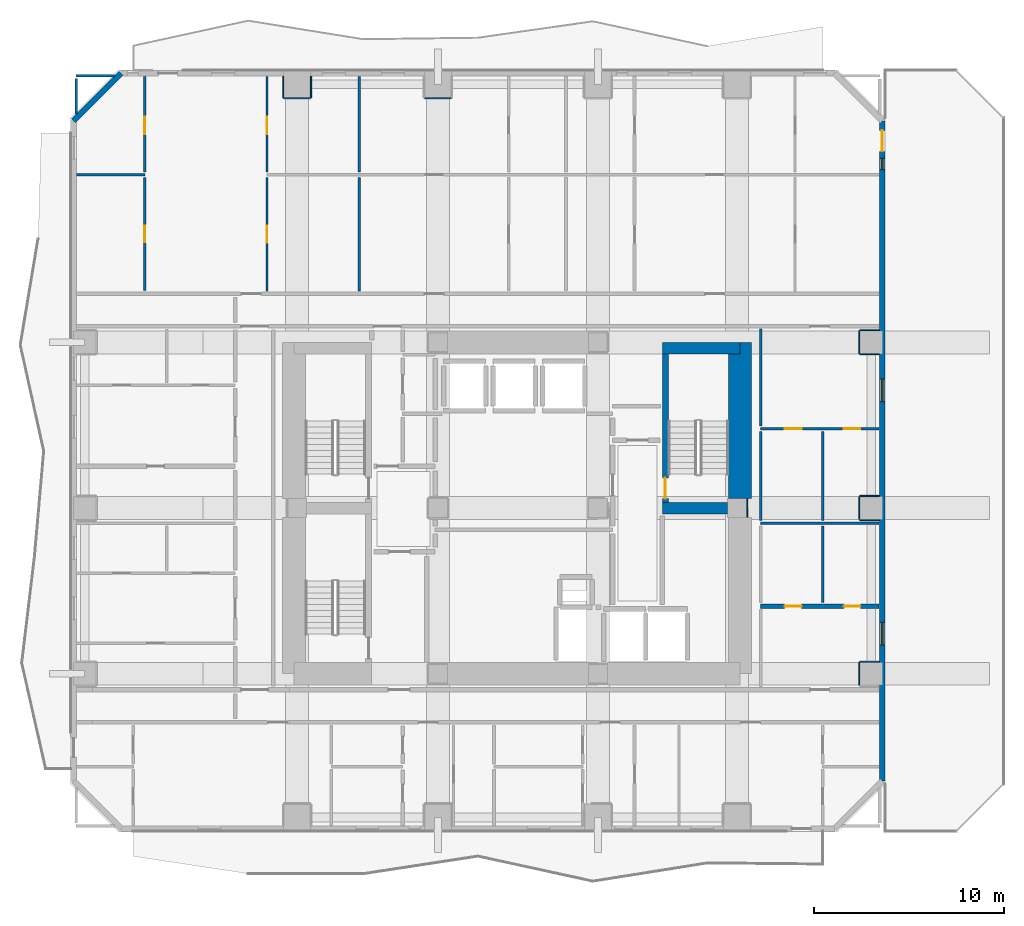
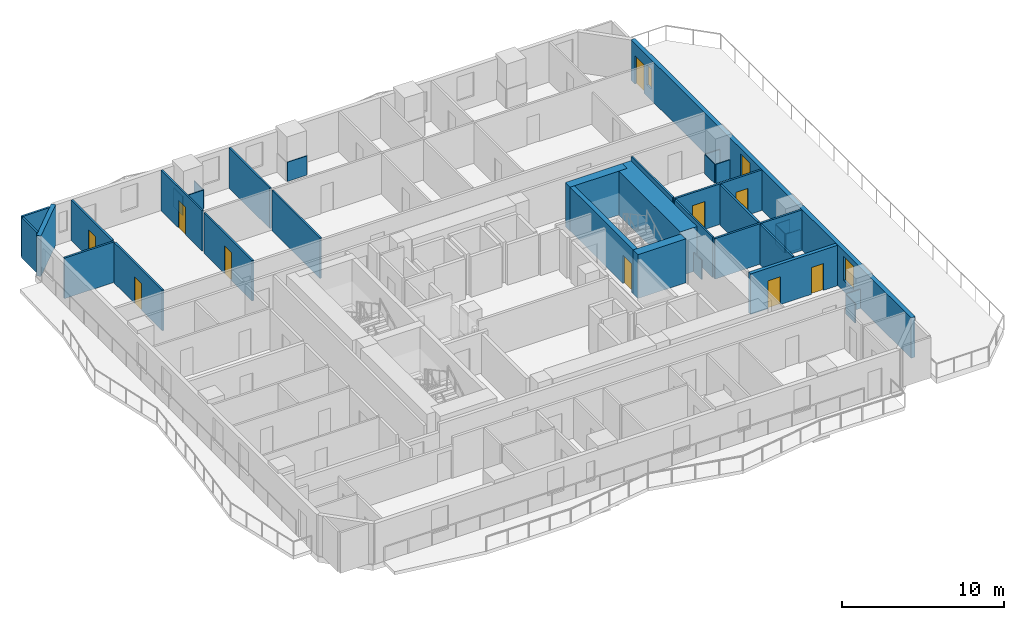
# One storey, part 6 of 12: 35 walls, 10 doors, 3 windows, 13 openings.
"""IFC4 building model written with IfcOpenShell, lengths in metres."""

from ifc_helpers import new_model, si_unit, direction, frame, frame_2d, origin, place, context, subcontext, project, spatial, rectangle, extrude, material, layer, layer_set, type_object, element, fill, save


model = new_model("IFC4")

# Units and contexts
model_context = context("Model", 3, precision=1e-05, world=origin(), true_north=direction((0.0, 1.0)))
body_context = subcontext(model_context, "Body", "Model", "MODEL_VIEW")
ifc_project = project(units=[si_unit("LENGTHUNIT", "METRE"), si_unit("AREAUNIT", "SQUARE_METRE"), si_unit("VOLUMEUNIT", "CUBIC_METRE"), si_unit("PLANEANGLEUNIT", "RADIAN"), si_unit("MASSUNIT", "GRAM", prefix="KILO")], contexts=[model_context])

# Site, building, storey
site_placement = place(None, origin())
site = spatial("IfcSite", under=ifc_project, at=site_placement, CompositionType="ELEMENT")
building_placement = place(site_placement, origin())
building = spatial("IfcBuilding", under=site, at=building_placement, Name="Solanera Arch Residences", CompositionType="ELEMENT")
storey_placement = place(building_placement, frame((0.0, 0.0, 81.760009765625)))
storey = spatial("IfcBuildingStorey", under=building, at=storey_placement, Name="L23", CompositionType="ELEMENT", Elevation=81.760009765625)

# Walls
ifc_material_1 = material(Name="Fire-Rated Gypsum Stud Partition", Category="gypsum")
ifc_layer_1 = layer(ifc_material_1, 0.06005859375)
ifc_layer_set_1 = layer_set([ifc_layer_1], Name="Fire-Rated Gypsum Stud Partition")
wall_type_1 = type_object("IfcWallType", Name="Column Acoustic Furring Wall 60", PredefinedType="PARTITIONING", material=ifc_layer_set_1)
wall_1_placement = place(storey_placement, frame((37.031982421875, 30.2099609375, 0.0), z_axis=(0.0, 0.0, 1.0), x_axis=(0.0, 1.0, 0.0)))
element("IfcWall", 1, at=wall_1_placement, inside=storey, type_object=wall_type_1, Name="L23 Column Furring 6E", PredefinedType="PARTITIONING", context=body_context, shape_type="SweptSolid", body=[
    extrude(rectangle(XDim=0.97998046875, YDim=0.06005859375, at=frame_2d((0.489990234375, 0.0))), origin(), (0.0, 0.0, 1.0), 1.449951171875),
])
wall_2_placement = place(storey_placement, frame((12.699951171875, 52.218017578125, 0.0), z_axis=(0.0, 0.0, 1.0), x_axis=(1.0, 0.0, 0.0)))
element("IfcWall", 2, at=wall_2_placement, inside=storey, type_object=wall_type_1, Name="L23 Column Furring 10S", PredefinedType="PARTITIONING", context=body_context, shape_type="SweptSolid", body=[
    extrude(rectangle(XDim=1.400146484375, YDim=0.06005859375, at=frame_2d((0.7001953125, 0.0))), origin(), (0.0, 0.0, 1.0), 1.449951171875),
])
for number, where, z_axis, x_axis, name in (
    (3, (12.66796875, 52.25, 0.0), (0.0, 0.0, 1.0), (0.0, 1.0, 0.0), "L23 Column Furring 10W"),
    (4, (14.132080078125, 52.25, 0.0), (0.0, 0.0, 1.0), (0.0, 1.0, 0.0), "L23 Column Furring 10E"),
):
    element("IfcWall", number, at=place(storey_placement, frame(where, z_axis=z_axis, x_axis=x_axis)), inside=storey, type_object=wall_type_1, Name=name, PredefinedType="PARTITIONING", context=body_context, shape_type="SweptSolid", body=[
        extrude(rectangle(XDim=1.1201171875, YDim=0.06005859375, at=frame_2d((0.56005859375, 0.0))), origin(), (0.0, 0.0, 1.0), 1.449951171875),
    ])
wall_3_placement = place(storey_placement, frame((20.10009765625, 52.218017578125, 0.0), z_axis=(0.0, 0.0, 1.0), x_axis=(1.0, 0.0, 0.0)))
element("IfcWall", 5, at=wall_3_placement, inside=storey, type_object=wall_type_1, Name="L23 Column Furring 12S", PredefinedType="PARTITIONING", context=body_context, shape_type="SweptSolid", body=[
    extrude(rectangle(XDim=1.39990234375, YDim=0.06005859375, at=frame_2d((0.699951171875, 0.0))), origin(), (0.0, 0.0, 1.0), 1.449951171875),
])
wall_4_placement = place(storey_placement, frame((42.949951171875, 22.632080078125, 0.0), z_axis=(0.0, 0.0, 1.0), x_axis=(1.0, 0.0, 0.0)))
element("IfcWall", 6, at=wall_4_placement, inside=storey, type_object=wall_type_1, Name="L23 Column Furring 18N", PredefinedType="PARTITIONING", context=body_context, shape_type="SweptSolid", body=[
    extrude(rectangle(XDim=1.02001953125, YDim=0.06005859375, at=frame_2d((0.510009765625, 0.0))), origin(), (0.0, 0.0, 1.0), 1.449951171875),
])
wall_5_placement = place(storey_placement, frame((42.91796875, 21.39990234375, 0.0), z_axis=(0.0, 0.0, 1.0), x_axis=(0.0, 1.0, 0.0)))
element("IfcWall", 7, at=wall_5_placement, inside=storey, type_object=wall_type_1, Name="L23 Column Furring 18W", PredefinedType="PARTITIONING", context=body_context, shape_type="SweptSolid", body=[
    extrude(rectangle(XDim=1.2001953125, YDim=0.06005859375, at=frame_2d((0.60009765625, 0.0))), origin(), (0.0, 0.0, 1.0), 1.449951171875),
])
for number, where, z_axis, x_axis, name in (
    (8, (42.949951171875, 30.068115234375, 0.0), (0.0, 0.0, 1.0), (1.0, 0.0, 0.0), "L23 Column Furring 20S"),
    (9, (42.949951171875, 31.33203125, 0.0), (0.0, 0.0, 1.0), (1.0, 0.0, 0.0), "L23 Column Furring 20N"),
):
    element("IfcWall", number, at=place(storey_placement, frame(where, z_axis=z_axis, x_axis=x_axis)), inside=storey, type_object=wall_type_1, Name=name, PredefinedType="PARTITIONING", context=body_context, shape_type="SweptSolid", body=[
        extrude(rectangle(XDim=1.02001953125, YDim=0.06005859375, at=frame_2d((0.510009765625, 0.0))), origin(), (0.0, 0.0, 1.0), 1.449951171875),
    ])
wall_6_placement = place(storey_placement, frame((42.91796875, 30.10009765625, 0.0), z_axis=(0.0, 0.0, 1.0), x_axis=(0.0, 1.0, 0.0)))
element("IfcWall", 10, at=wall_6_placement, inside=storey, type_object=wall_type_1, Name="L23 Column Furring 20W", PredefinedType="PARTITIONING", context=body_context, shape_type="SweptSolid", body=[
    extrude(rectangle(XDim=1.199951171875, YDim=0.06005859375, at=frame_2d((0.60009765625, 0.0))), origin(), (0.0, 0.0, 1.0), 1.449951171875),
])
for number, where, z_axis, x_axis, name in (
    (11, (42.949951171875, 38.76806640625, 0.0), (0.0, 0.0, 1.0), (1.0, 0.0, 0.0), "L23 Column Furring 22S"),
    (12, (42.949951171875, 40.031982421875, 0.0), (0.0, 0.0, 1.0), (1.0, 0.0, 0.0), "L23 Column Furring 22N"),
):
    element("IfcWall", number, at=place(storey_placement, frame(where, z_axis=z_axis, x_axis=x_axis)), inside=storey, type_object=wall_type_1, Name=name, PredefinedType="PARTITIONING", context=body_context, shape_type="SweptSolid", body=[
        extrude(rectangle(XDim=1.02001953125, YDim=0.06005859375, at=frame_2d((0.510009765625, 0.0))), origin(), (0.0, 0.0, 1.0), 1.449951171875),
    ])
wall_7_placement = place(storey_placement, frame((42.91796875, 38.800048828125, 0.0), z_axis=(0.0, 0.0, 1.0), x_axis=(0.0, 1.0, 0.0)))
element("IfcWall", 13, at=wall_7_placement, inside=storey, type_object=wall_type_1, Name="L23 Column Furring 22W", PredefinedType="PARTITIONING", context=body_context, shape_type="SweptSolid", body=[
    extrude(rectangle(XDim=1.199951171875, YDim=0.06005859375, at=frame_2d((0.60009765625, 0.0))), origin(), (0.0, 0.0, 1.0), 1.449951171875),
])
ifc_material_2 = material(Name="Concrete C55/67 (f'c = 60 MPa)", Category="concrete")
ifc_layer_2 = layer(ifc_material_2, 1.199951171875)
ifc_layer_set_2 = layer_set([ifc_layer_2], Name="Concrete C55/67 (f'c = 60 MPa)")
wall_type_2 = type_object("IfcWallType", Name="Core Shear Wall CW-1200", PredefinedType="SHEAR", material=ifc_layer_set_2)
wall_8_placement = place(storey_placement, frame((36.659912109375, 31.205078125, 0.0), z_axis=(0.0, 0.0, 1.0), x_axis=(0.0, 1.0, 0.0)))
element("IfcWall", 14, at=wall_8_placement, inside=storey, type_object=wall_type_2, Name="L23 East Core North Shear Wall", PredefinedType="SHEAR", context=body_context, shape_type="SweptSolid", body=[
    extrude(rectangle(XDim=8.19482421875, YDim=1.199951171875, at=frame_2d((4.097412109375, 0.0))), origin(), (0.0, 0.0, 1.0), 3.320068359375),
])

# Wall, opening, door
ifc_material_3 = material(Name="Concrete C40/50 (f'c = 45 MPa)", Category="concrete")
ifc_layer_3 = layer(ifc_material_3, 0.320068359375)
ifc_layer_set_3 = layer_set([ifc_layer_3], Name="Concrete C40/50 (f'c = 45 MPa)")
wall_type_3 = type_object("IfcWallType", Name="Core Shear Wall CW-320", PredefinedType="SHEAR", material=ifc_layer_set_3)
wall_9_placement = place(storey_placement, frame((32.739990234375, 31.0, 0.0), z_axis=(0.0, 0.0, 1.0), x_axis=(0.0, 1.0, 0.0)))
wall_9 = element("IfcWall", 15, at=wall_9_placement, inside=storey, type_object=wall_type_3, Name="L23 Stair ST-T2 West Shear Wall", PredefinedType="SHEAR", context=body_context, shape_type="SweptSolid", body=[
    extrude(rectangle(XDim=7.800048828125, YDim=0.320068359375, at=frame_2d((3.89990234375, 0.0))), origin(), (0.0, 0.0, 1.0), 3.320068359375),
])
opening_1_placement = place(wall_9_placement, frame((0.18994140625, 0.0, 0.0)))
opening_1 = element("IfcOpeningElement", 16, at=opening_1_placement, cuts=wall_9, Name="Opening DF-01", PredefinedType="OPENING", context=body_context, shape_type="SweptSolid", body=[
    extrude(rectangle(XDim=1.10009765625, YDim=2.14990234375, at=frame_2d((0.550048828125, 1.074951171875))), frame((0.0, 0.169921875, 0.0), z_axis=(0.0, -1.0, 0.0), x_axis=(1.0, 0.0, 0.0)), (0.0, 0.0, 1.0), 0.3401),
])
ifc_material_4 = material(Name="Fire-Rated Architectural Hardwood", Category="wood")
door_type_1 = type_object("IfcDoorType", Name="Stair Exit Fire Door DF-01", OperationType="NOTDEFINED", PredefinedType="DOOR", material=ifc_material_4)
door_1_placement = place(opening_1_placement, origin())
door_1 = element("IfcDoor", 17, at=door_1_placement, inside=storey, type_object=door_type_1, Name="DR-L23-STAIR-ST-T2", OperationType="SINGLE_SWING_LEFT", OverallHeight=2.14990234375, OverallWidth=1.10009765625, PredefinedType="DOOR", context=body_context, shape_type="SweptSolid", body=[
    extrude(rectangle(XDim=1.10009765625, YDim=2.14990234375, at=frame_2d((0.550048828125, 1.074951171875))), frame((0.0, 0.02490234375, 0.0), z_axis=(0.0, -1.0, 0.0), x_axis=(1.0, 0.0, 0.0)), (0.0, 0.0, 1.0), 0.050048828125),
])
fill(opening_1, door_1)

# Walls
ifc_material_5 = material(Name="Concrete C40/50 (f'c = 45 MPa)", Category="concrete")
ifc_layer_4 = layer(ifc_material_5, 0.60009765625)
ifc_layer_set_4 = layer_set([ifc_layer_4], Name="Concrete C40/50 (f'c = 45 MPa)")
wall_type_4 = type_object("IfcWallType", Name="Core Shear Wall CW-600", PredefinedType="SHEAR", material=ifc_layer_set_4)
wall_10_placement = place(storey_placement, frame((32.580078125, 39.10009765625, 0.0), z_axis=(0.0, 0.0, 1.0), x_axis=(1.0, 0.0, 0.0)))
element("IfcWall", 18, at=wall_10_placement, inside=storey, type_object=wall_type_4, Name="L23 North-East Core Shear Wall", PredefinedType="SHEAR", context=body_context, shape_type="SweptSolid", body=[
    extrude(rectangle(XDim=4.079833984375, YDim=0.60009765625, at=frame_2d((2.0400390625, 0.0))), origin(), (0.0, 0.0, 1.0), 3.320068359375),
])
wall_11_placement = place(storey_placement, frame((32.580078125, 30.699951171875, 0.0), z_axis=(0.0, 0.0, 1.0), x_axis=(1.0, 0.0, 0.0)))
element("IfcWall", 19, at=wall_11_placement, inside=storey, type_object=wall_type_4, Name="L23 East Stair Far-Landing Shear Wall", PredefinedType="SHEAR", context=body_context, shape_type="SweptSolid", body=[
    extrude(rectangle(XDim=3.4150390625, YDim=0.60009765625, at=frame_2d((1.70751953125, 0.0))), origin(), (0.0, 0.0, 1.0), 3.320068359375),
])
ifc_material_6 = material(Name="Precast Concrete C35/45", Category="concrete")
ifc_layer_5 = layer(ifc_material_6, 0.300048828125)
ifc_layer_set_5 = layer_set([ifc_layer_5], Name="Precast Concrete C35/45")
wall_type_5 = type_object("IfcWallType", Name="Exterior Wall Precast Masonry-Frame 300", PredefinedType="STANDARD", material=ifc_layer_set_5)
wall_12_placement = place(storey_placement, frame((1.6650390625, 51.034912109375, 0.0), z_axis=(0.0, 0.0, 1.0), x_axis=(0.707106781187, 0.707106781187, 0.0)))
element("IfcWall", 20, at=wall_12_placement, inside=storey, type_object=wall_type_5, Name="L23 Tower Exterior Precast Masonry-Frame Wall CH1", PredefinedType="STANDARD", context=body_context, shape_type="SweptSolid", body=[
    extrude(rectangle(XDim=3.53564453125, YDim=0.300048828125, at=frame_2d((1.767822265625, 0.0))), origin(), (0.0, 0.0, 1.0), 3.06005859375),
])

# Wall, openings, door, windows
wall_13_placement = place(storey_placement, frame((44.135009765625, 51.034912109375, 0.0), z_axis=(0.0, 0.0, 1.0), x_axis=(0.0, -1.0, 0.0)))
wall_13 = element("IfcWall", 21, at=wall_13_placement, inside=storey, type_object=wall_type_5, Name="L23 Tower Exterior Precast Masonry-Frame Wall E", PredefinedType="STANDARD", context=body_context, shape_type="SweptSolid", body=[
    extrude(rectangle(XDim=34.669921875, YDim=0.300048828125, at=frame_2d((17.3349609375, 0.0))), origin(), (0.0, 0.0, 1.0), 3.06005859375),
])
opening_2_placement = place(wall_13_placement, frame((0.5009765625, 0.0, 0.0)))
opening_2 = element("IfcOpeningElement", 22, at=opening_2_placement, cuts=wall_13, Name="Opening DB-02", PredefinedType="OPENING", context=body_context, shape_type="SweptSolid", body=[
    extrude(rectangle(XDim=1.10009765625, YDim=2.14990234375, at=frame_2d((0.550048828125, 1.074951171875))), frame((0.0, 0.159912109375, 0.0), z_axis=(0.0, -1.0, 0.0), x_axis=(1.0, 0.0, 0.0)), (0.0, 0.0, 1.0), 0.32),
])
opening_3_placement = place(wall_13_placement, frame((1.97802734375, 0.0, 0.85009765625)))
opening_3 = element("IfcOpeningElement", 23, at=opening_3_placement, cuts=wall_13, Name="Opening W-14", PredefinedType="OPENING", context=body_context, shape_type="SweptSolid", body=[
    extrude(rectangle(XDim=0.580078125, YDim=1.5, at=frame_2d((0.2900390625, 0.75))), frame((0.0, 0.159912109375, 0.0), z_axis=(0.0, -1.0, 0.0), x_axis=(1.0, 0.0, 0.0)), (0.0, 0.0, 1.0), 0.32),
])
opening_4_placement = place(wall_13_placement, frame((26.3349609375, 0.0, 0.85009765625)))
opening_4 = element("IfcOpeningElement", 24, at=opening_4_placement, cuts=wall_13, Name="Opening W-01", PredefinedType="OPENING", context=body_context, shape_type="SweptSolid", body=[
    extrude(rectangle(XDim=1.199951171875, YDim=1.800048828125, at=frame_2d((0.60009765625, 0.89990234375))), frame((0.0, 0.159912109375, 0.0), z_axis=(0.0, -1.0, 0.0), x_axis=(1.0, 0.0, 0.0)), (0.0, 0.0, 1.0), 0.32),
])
opening_5_placement = place(wall_13_placement, frame((13.551025390625, 0.0, 0.85009765625)))
opening_5 = element("IfcOpeningElement", 25, at=opening_5_placement, cuts=wall_13, Name="Opening W-01", PredefinedType="OPENING", context=body_context, shape_type="SweptSolid", body=[
    extrude(rectangle(XDim=1.199951171875, YDim=1.800048828125, at=frame_2d((0.60009765625, 0.89990234375))), frame((0.0, 0.159912109375, 0.0), z_axis=(0.0, -1.0, 0.0), x_axis=(1.0, 0.0, 0.0)), (0.0, 0.0, 1.0), 0.32),
])
ifc_material_7 = material(Name="Anodised Aluminium Alloy 6063-T6", Category="aluminium")
door_type_2 = type_object("IfcDoorType", Name="Glazed Terrace Swing Door DB-02", OperationType="NOTDEFINED", PredefinedType="DOOR", material=ifc_material_7)
door_2_placement = place(opening_2_placement, origin())
door_2 = element("IfcDoor", 26, at=door_2_placement, inside=storey, type_object=door_type_2, Name="DR-L23-OUT-01", OperationType="SINGLE_SWING_LEFT", OverallHeight=2.14990234375, OverallWidth=1.10009765625, PredefinedType="DOOR", context=body_context, shape_type="SweptSolid", body=[
    extrude(rectangle(XDim=1.10009765625, YDim=2.14990234375, at=frame_2d((0.550048828125, 1.074951171875))), frame((0.0, 0.02490234375, 0.0), z_axis=(0.0, -1.0, 0.0), x_axis=(1.0, 0.0, 0.0)), (0.0, 0.0, 1.0), 0.050048828125),
])
fill(opening_2, door_2)
ifc_material_8 = material(Name="Double Glazed Low-E Laminated Glass", Category="glass")
window_type_1 = type_object("IfcWindowType", Name="Punched Window W-01", PartitioningType="SINGLE_PANEL", PredefinedType="WINDOW", material=ifc_material_8)
window_1_placement = place(opening_4_placement, origin())
window_1 = element("IfcWindow", 27, at=window_1_placement, inside=storey, type_object=window_type_1, Name="L23 2310-LIV Punched Window", OverallHeight=1.800048828125, OverallWidth=1.199951171875, PartitioningType="SINGLE_PANEL", PredefinedType="WINDOW", context=body_context, shape_type="SweptSolid", body=[
    extrude(rectangle(XDim=1.199951171875, YDim=1.800048828125, at=frame_2d((0.60009765625, 0.89990234375))), frame((0.0, 0.030029296875, 0.0), z_axis=(0.0, -1.0, 0.0), x_axis=(1.0, 0.0, 0.0)), (0.0, 0.0, 1.0), 0.06005859375),
])
fill(opening_4, window_1)
window_2_placement = place(opening_5_placement, origin())
window_2 = element("IfcWindow", 28, at=window_2_placement, inside=storey, type_object=window_type_1, Name="L23 2311-LIV Punched Window", OverallHeight=1.800048828125, OverallWidth=1.199951171875, PartitioningType="SINGLE_PANEL", PredefinedType="WINDOW", context=body_context, shape_type="SweptSolid", body=[
    extrude(rectangle(XDim=1.199951171875, YDim=1.800048828125, at=frame_2d((0.60009765625, 0.89990234375))), frame((0.0, 0.030029296875, 0.0), z_axis=(0.0, -1.0, 0.0), x_axis=(1.0, 0.0, 0.0)), (0.0, 0.0, 1.0), 0.06005859375),
])
fill(opening_5, window_2)
ifc_material_9 = material(Name="Double Glazed Low-E Laminated Glass", Category="glass")
window_type_2 = type_object("IfcWindowType", Name="Punched Window W-14", PartitioningType="SINGLE_PANEL", PredefinedType="WINDOW", material=ifc_material_9)
window_3_placement = place(opening_3_placement, origin())
window_3 = element("IfcWindow", 29, at=window_3_placement, inside=storey, type_object=window_type_2, Name="L23 2307-STD Punched Window", OverallHeight=1.5, OverallWidth=0.580078125, PartitioningType="SINGLE_PANEL", PredefinedType="WINDOW", context=body_context, shape_type="SweptSolid", body=[
    extrude(rectangle(XDim=0.580078125, YDim=1.5, at=frame_2d((0.2900390625, 0.75))), frame((0.0, 0.030029296875, 0.0), z_axis=(0.0, -1.0, 0.0), x_axis=(1.0, 0.0, 0.0)), (0.0, 0.0, 1.0), 0.06005859375),
])
fill(opening_3, window_3)

# Wall, openings, doors
ifc_material_10 = material(Name="Autoclaved Aerated Concrete Blockwork", Category="masonry")
ifc_layer_6 = layer(ifc_material_10, 0.239990234375)
ifc_layer_set_6 = layer_set([ifc_layer_6], Name="Autoclaved Aerated Concrete Blockwork")
wall_type_6 = type_object("IfcWallType", Name="Shaft Wall Fire-Rated 240", PredefinedType="PARTITIONING", material=ifc_layer_set_6)
wall_14_placement = place(storey_placement, frame((37.75, 25.550048828125, 0.0), z_axis=(0.0, 0.0, 1.0), x_axis=(1.0, 0.0, 0.0)))
wall_14 = element("IfcWall", 30, at=wall_14_placement, inside=storey, type_object=wall_type_6, Name="L23 Interior Partition H3", PredefinedType="PARTITIONING", context=body_context, shape_type="SweptSolid", body=[
    extrude(rectangle(XDim=6.222900390625, YDim=0.239990234375, at=frame_2d((3.111328125, 0.0))), origin(), (0.0, 0.0, 1.0), 3.06005859375),
])
opening_6_placement = place(wall_14_placement, frame((1.25, 0.0, 0.0)))
opening_6 = element("IfcOpeningElement", 31, at=opening_6_placement, cuts=wall_14, Name="Opening DI-02", PredefinedType="OPENING", context=body_context, shape_type="SweptSolid", body=[
    extrude(rectangle(XDim=0.89990234375, YDim=2.10009765625, at=frame_2d((0.449951171875, 1.050048828125))), frame((0.0, 0.1298828125, 0.0), z_axis=(0.0, -1.0, 0.0), x_axis=(1.0, 0.0, 0.0)), (0.0, 0.0, 1.0), 0.26),
])
opening_7_placement = place(wall_14_placement, frame((4.3701171875, 0.0, 0.0)))
opening_7 = element("IfcOpeningElement", 32, at=opening_7_placement, cuts=wall_14, Name="Opening DI-05", PredefinedType="OPENING", context=body_context, shape_type="SweptSolid", body=[
    extrude(rectangle(XDim=0.860107421875, YDim=2.02001953125, at=frame_2d((0.43017578125, 1.010009765625))), frame((0.0, 0.1298828125, 0.0), z_axis=(0.0, -1.0, 0.0), x_axis=(1.0, 0.0, 0.0)), (0.0, 0.0, 1.0), 0.26),
])
ifc_material_11 = material(Name="Fire-Rated Architectural Hardwood", Category="wood")
door_type_3 = type_object("IfcDoorType", Name="Bathroom Swing Door DI-05", OperationType="NOTDEFINED", PredefinedType="DOOR", material=ifc_material_11)
door_3_placement = place(opening_7_placement, origin())
door_3 = element("IfcDoor", 33, at=door_3_placement, inside=storey, type_object=door_type_3, Name="DR-L23-IN-052", OperationType="SINGLE_SWING_LEFT", OverallHeight=2.02001953125, OverallWidth=0.860107421875, PredefinedType="DOOR", context=body_context, shape_type="SweptSolid", body=[
    extrude(rectangle(XDim=0.860107421875, YDim=2.02001953125, at=frame_2d((0.43017578125, 1.010009765625))), frame((0.0, 0.02490234375, 0.0), z_axis=(0.0, -1.0, 0.0), x_axis=(1.0, 0.0, 0.0)), (0.0, 0.0, 1.0), 0.050048828125),
])
fill(opening_7, door_3)
ifc_material_12 = material(Name="Fire-Rated Architectural Hardwood", Category="wood")
door_type_4 = type_object("IfcDoorType", Name="Suite Room Swing Door DI-02", OperationType="NOTDEFINED", PredefinedType="DOOR", material=ifc_material_12)
door_4_placement = place(opening_6_placement, origin())
door_4 = element("IfcDoor", 34, at=door_4_placement, inside=storey, type_object=door_type_4, Name="DR-L23-IN-051", OperationType="SINGLE_SWING_RIGHT", OverallHeight=2.10009765625, OverallWidth=0.89990234375, PredefinedType="DOOR", context=body_context, shape_type="SweptSolid", body=[
    extrude(rectangle(XDim=0.89990234375, YDim=2.10009765625, at=frame_2d((0.449951171875, 1.050048828125))), frame((0.0, 0.02490234375, 0.0), z_axis=(0.0, -1.0, 0.0), x_axis=(1.0, 0.0, 0.0)), (0.0, 0.0, 1.0), 0.050048828125),
])
fill(opening_6, door_4)

# Wall, opening, door
ifc_material_13 = material(Name="Fire-Rated Gypsum Stud Partition", Category="gypsum")
ifc_layer_7 = layer(ifc_material_13, 0.1201171875)
ifc_layer_set_7 = layer_set([ifc_layer_7], Name="Fire-Rated Gypsum Stud Partition")
wall_type_7 = type_object("IfcWallType", Name="Unit Drywall Partition 120", PredefinedType="PARTITIONING", material=ifc_layer_set_7)
wall_15_placement = place(storey_placement, frame((11.820068359375, 42.10791015625, 0.0), z_axis=(0.0, 0.0, 1.0), x_axis=(0.0, 1.0, 0.0)))
wall_15 = element("IfcWall", 35, at=wall_15_placement, inside=storey, type_object=wall_type_7, Name="L23 Interior Partition V27 1", PredefinedType="PARTITIONING", context=body_context, shape_type="SweptSolid", body=[
    extrude(rectangle(XDim=5.9541015625, YDim=0.1201171875, at=frame_2d((2.97705078125, 0.0))), origin(), (0.0, 0.0, 1.0), 3.06005859375),
])
opening_8_placement = place(wall_15_placement, frame((2.530029296875, 0.0, 0.0)))
opening_8 = element("IfcOpeningElement", 36, at=opening_8_placement, cuts=wall_15, Name="Opening DI-02", PredefinedType="OPENING", context=body_context, shape_type="SweptSolid", body=[
    extrude(rectangle(XDim=0.89990234375, YDim=2.10009765625, at=frame_2d((0.449951171875, 1.050048828125))), frame((0.0, 0.070068359375, 0.0), z_axis=(0.0, -1.0, 0.0), x_axis=(1.0, 0.0, 0.0)), (0.0, 0.0, 1.0), 0.1401),
])
door_5_placement = place(opening_8_placement, origin())
door_5 = element("IfcDoor", 37, at=door_5_placement, inside=storey, type_object=door_type_4, Name="DR-L23-IN-030", OperationType="SINGLE_SWING_LEFT", OverallHeight=2.10009765625, OverallWidth=0.89990234375, PredefinedType="DOOR", context=body_context, shape_type="SweptSolid", body=[
    extrude(rectangle(XDim=0.89990234375, YDim=2.10009765625, at=frame_2d((0.449951171875, 1.050048828125))), frame((0.0, 0.02490234375, 0.0), z_axis=(0.0, -1.0, 0.0), x_axis=(1.0, 0.0, 0.0)), (0.0, 0.0, 1.0), 0.050048828125),
])
fill(opening_8, door_5)

wall_16_placement = place(storey_placement, frame((11.820068359375, 48.337890625, 0.0), z_axis=(0.0, 0.0, 1.0), x_axis=(0.0, 1.0, 0.0)))
wall_16 = element("IfcWall", 38, at=wall_16_placement, inside=storey, type_object=wall_type_7, Name="L23 Interior Partition V27 2", PredefinedType="PARTITIONING", context=body_context, shape_type="SweptSolid", body=[
    extrude(rectangle(XDim=5.03515625, YDim=0.1201171875, at=frame_2d((2.517578125, 0.0))), origin(), (0.0, 0.0, 1.0), 3.06005859375),
])
opening_9_placement = place(wall_16_placement, frame((1.9990234375, 0.0, 0.0)))
opening_9 = element("IfcOpeningElement", 39, at=opening_9_placement, cuts=wall_16, Name="Opening DI-02", PredefinedType="OPENING", context=body_context, shape_type="SweptSolid", body=[
    extrude(rectangle(XDim=0.89990234375, YDim=2.10009765625, at=frame_2d((0.449951171875, 1.050048828125))), frame((0.0, 0.070068359375, 0.0), z_axis=(0.0, -1.0, 0.0), x_axis=(1.0, 0.0, 0.0)), (0.0, 0.0, 1.0), 0.1401),
])
door_6_placement = place(opening_9_placement, origin())
door_6 = element("IfcDoor", 40, at=door_6_placement, inside=storey, type_object=door_type_4, Name="DR-L23-IN-031", OperationType="SINGLE_SWING_RIGHT", OverallHeight=2.10009765625, OverallWidth=0.89990234375, PredefinedType="DOOR", context=body_context, shape_type="SweptSolid", body=[
    extrude(rectangle(XDim=0.89990234375, YDim=2.10009765625, at=frame_2d((0.449951171875, 1.050048828125))), frame((0.0, 0.02490234375, 0.0), z_axis=(0.0, -1.0, 0.0), x_axis=(1.0, 0.0, 0.0)), (0.0, 0.0, 1.0), 0.050048828125),
])
fill(opening_9, door_6)

# Walls
wall_17_placement = place(storey_placement, frame((16.673095703125, 42.10791015625, 0.0), z_axis=(0.0, 0.0, 1.0), x_axis=(0.0, 1.0, 0.0)))
element("IfcWall", 41, at=wall_17_placement, inside=storey, type_object=wall_type_7, Name="L23 Interior Partition V28 1", PredefinedType="PARTITIONING", context=body_context, shape_type="SweptSolid", body=[
    extrude(rectangle(XDim=5.9541015625, YDim=0.1201171875, at=frame_2d((2.97705078125, 0.0))), origin(), (0.0, 0.0, 1.0), 3.06005859375),
])
wall_18_placement = place(storey_placement, frame((16.673095703125, 48.337890625, 0.0), z_axis=(0.0, 0.0, 1.0), x_axis=(0.0, 1.0, 0.0)))
element("IfcWall", 42, at=wall_18_placement, inside=storey, type_object=wall_type_7, Name="L23 Interior Partition V28 2", PredefinedType="PARTITIONING", context=body_context, shape_type="SweptSolid", body=[
    extrude(rectangle(XDim=5.03515625, YDim=0.1201171875, at=frame_2d((2.517578125, 0.0))), origin(), (0.0, 0.0, 1.0), 3.06005859375),
])
wall_19_placement = place(storey_placement, frame((37.75, 30.0380859375, 0.0), z_axis=(0.0, 0.0, 1.0), x_axis=(0.0, 1.0, 0.0)))
element("IfcWall", 43, at=wall_19_placement, inside=storey, type_object=wall_type_7, Name="L23 Interior Partition V31 3", PredefinedType="PARTITIONING", context=body_context, shape_type="SweptSolid", body=[
    extrude(rectangle(XDim=4.69189453125, YDim=0.1201171875, at=frame_2d((2.345947265625, 0.0))), origin(), (0.0, 0.0, 1.0), 3.06005859375),
])
wall_20_placement = place(storey_placement, frame((37.75, 35.006103515625, 0.0), z_axis=(0.0, 0.0, 1.0), x_axis=(0.0, 1.0, 0.0)))
element("IfcWall", 44, at=wall_20_placement, inside=storey, type_object=wall_type_7, Name="L23 Interior Partition V31 4", PredefinedType="PARTITIONING", context=body_context, shape_type="SweptSolid", body=[
    extrude(rectangle(XDim=5.0859375, YDim=0.1201171875, at=frame_2d((2.54296875, 0.0))), origin(), (0.0, 0.0, 1.0), 3.06005859375),
])
ifc_material_14 = material(Name="Autoclaved Aerated Concrete Blockwork", Category="masonry")
ifc_layer_8 = layer(ifc_material_14, 0.139892578125)
ifc_layer_set_8 = layer_set([ifc_layer_8], Name="Autoclaved Aerated Concrete Blockwork")
wall_type_8 = type_object("IfcWallType", Name="Wet-Room Partition 140", PredefinedType="PARTITIONING", material=ifc_layer_set_8)
wall_21_placement = place(storey_placement, frame((37.75, 29.89990234375, 0.0), z_axis=(0.0, 0.0, 1.0), x_axis=(1.0, 0.0, 0.0)))
element("IfcWall", 45, at=wall_21_placement, inside=storey, type_object=wall_type_8, Name="L23 Interior Partition H21", PredefinedType="PARTITIONING", context=body_context, shape_type="SweptSolid", body=[
    extrude(rectangle(XDim=6.222900390625, YDim=0.139892578125, at=frame_2d((3.111328125, 0.0))), origin(), (0.0, 0.0, 1.0), 3.06005859375),
])

# Wall, openings, doors
wall_22_placement = place(storey_placement, frame((37.75, 34.867919921875, 0.0), z_axis=(0.0, 0.0, 1.0), x_axis=(1.0, 0.0, 0.0)))
wall_22 = element("IfcWall", 46, at=wall_22_placement, inside=storey, type_object=wall_type_8, Name="L23 Interior Partition H22", PredefinedType="PARTITIONING", context=body_context, shape_type="SweptSolid", body=[
    extrude(rectangle(XDim=6.222900390625, YDim=0.139892578125, at=frame_2d((3.111328125, 0.0))), origin(), (0.0, 0.0, 1.0), 3.06005859375),
])
opening_10_placement = place(wall_22_placement, frame((1.25, 0.0, 0.0)))
opening_10 = element("IfcOpeningElement", 47, at=opening_10_placement, cuts=wall_22, Name="Opening DI-02", PredefinedType="OPENING", context=body_context, shape_type="SweptSolid", body=[
    extrude(rectangle(XDim=0.89990234375, YDim=2.10009765625, at=frame_2d((0.449951171875, 1.050048828125))), frame((0.0, 0.079833984375, 0.0), z_axis=(0.0, -1.0, 0.0), x_axis=(1.0, 0.0, 0.0)), (0.0, 0.0, 1.0), 0.1599),
])
opening_11_placement = place(wall_22_placement, frame((4.3701171875, 0.0, 0.0)))
opening_11 = element("IfcOpeningElement", 48, at=opening_11_placement, cuts=wall_22, Name="Opening DI-05", PredefinedType="OPENING", context=body_context, shape_type="SweptSolid", body=[
    extrude(rectangle(XDim=0.860107421875, YDim=2.02001953125, at=frame_2d((0.43017578125, 1.010009765625))), frame((0.0, 0.079833984375, 0.0), z_axis=(0.0, -1.0, 0.0), x_axis=(1.0, 0.0, 0.0)), (0.0, 0.0, 1.0), 0.1599),
])
door_7_placement = place(opening_11_placement, origin())
door_7 = element("IfcDoor", 49, at=door_7_placement, inside=storey, type_object=door_type_3, Name="DR-L23-IN-055", OperationType="SINGLE_SWING_RIGHT", OverallHeight=2.02001953125, OverallWidth=0.860107421875, PredefinedType="DOOR", context=body_context, shape_type="SweptSolid", body=[
    extrude(rectangle(XDim=0.860107421875, YDim=2.02001953125, at=frame_2d((0.43017578125, 1.010009765625))), frame((0.0, 0.02490234375, 0.0), z_axis=(0.0, -1.0, 0.0), x_axis=(1.0, 0.0, 0.0)), (0.0, 0.0, 1.0), 0.050048828125),
])
fill(opening_11, door_7)
door_8_placement = place(opening_10_placement, origin())
door_8 = element("IfcDoor", 50, at=door_8_placement, inside=storey, type_object=door_type_4, Name="DR-L23-IN-054", OperationType="SINGLE_SWING_LEFT", OverallHeight=2.10009765625, OverallWidth=0.89990234375, PredefinedType="DOOR", context=body_context, shape_type="SweptSolid", body=[
    extrude(rectangle(XDim=0.89990234375, YDim=2.10009765625, at=frame_2d((0.449951171875, 1.050048828125))), frame((0.0, 0.02490234375, 0.0), z_axis=(0.0, -1.0, 0.0), x_axis=(1.0, 0.0, 0.0)), (0.0, 0.0, 1.0), 0.050048828125),
])
fill(opening_10, door_8)

# Walls
wall_23_placement = place(storey_placement, frame((1.826904296875, 48.199951171875, 0.0), z_axis=(0.0, 0.0, 1.0), x_axis=(1.0, 0.0, 0.0)))
element("IfcWall", 51, at=wall_23_placement, inside=storey, type_object=wall_type_8, Name="L23 Interior Partition H25", PredefinedType="PARTITIONING", context=body_context, shape_type="SweptSolid", body=[
    extrude(rectangle(XDim=3.5771484375, YDim=0.139892578125, at=frame_2d((1.78857421875, 0.0))), origin(), (0.0, 0.0, 1.0), 3.06005859375),
])
wall_24_placement = place(storey_placement, frame((1.800048828125, 53.39990234375, 0.0), z_axis=(0.0, 0.0, 1.0), x_axis=(1.0, 0.0, 0.0)))
element("IfcWall", 52, at=wall_24_placement, inside=storey, type_object=wall_type_8, Name="L23 Interior Partition H27 1", PredefinedType="PARTITIONING", context=body_context, shape_type="SweptSolid", body=[
    extrude(rectangle(XDim=2.0009765625, YDim=0.139892578125, at=frame_2d((1.00048828125, 0.0))), origin(), (0.0, 0.0, 1.0), 3.06005859375),
])
wall_25_placement = place(storey_placement, frame((1.800048828125, 51.39892578125, 0.0), z_axis=(0.0, 0.0, 1.0), x_axis=(0.0, 1.0, 0.0)))
element("IfcWall", 53, at=wall_25_placement, inside=storey, type_object=wall_type_8, Name="L23 Interior Partition V13", PredefinedType="PARTITIONING", context=body_context, shape_type="SweptSolid", body=[
    extrude(rectangle(XDim=1.85302734375, YDim=0.139892578125, at=frame_2d((0.926513671875, 0.0))), origin(), (0.0, 0.0, 1.0), 3.06005859375),
])

# Wall, opening, door
wall_26_placement = place(storey_placement, frame((5.404052734375, 42.117919921875, 0.0), z_axis=(0.0, 0.0, 1.0), x_axis=(0.0, 1.0, 0.0)))
wall_26 = element("IfcWall", 54, at=wall_26_placement, inside=storey, type_object=wall_type_8, Name="L23 Interior Partition V15 1", PredefinedType="PARTITIONING", context=body_context, shape_type="SweptSolid", body=[
    extrude(rectangle(XDim=5.93408203125, YDim=0.139892578125, at=frame_2d((2.967041015625, 0.0))), origin(), (0.0, 0.0, 1.0), 3.06005859375),
])
opening_12_placement = place(wall_26_placement, frame((2.5400390625, 0.0, 0.0)))
opening_12 = element("IfcOpeningElement", 55, at=opening_12_placement, cuts=wall_26, Name="Opening DI-05", PredefinedType="OPENING", context=body_context, shape_type="SweptSolid", body=[
    extrude(rectangle(XDim=0.860107421875, YDim=2.02001953125, at=frame_2d((0.43017578125, 1.010009765625))), frame((0.0, 0.079833984375, 0.0), z_axis=(0.0, -1.0, 0.0), x_axis=(1.0, 0.0, 0.0)), (0.0, 0.0, 1.0), 0.1599),
])
door_9_placement = place(opening_12_placement, origin())
door_9 = element("IfcDoor", 56, at=door_9_placement, inside=storey, type_object=door_type_3, Name="DR-L23-IN-028", OperationType="SINGLE_SWING_LEFT", OverallHeight=2.02001953125, OverallWidth=0.860107421875, PredefinedType="DOOR", context=body_context, shape_type="SweptSolid", body=[
    extrude(rectangle(XDim=0.860107421875, YDim=2.02001953125, at=frame_2d((0.43017578125, 1.010009765625))), frame((0.0, 0.02490234375, 0.0), z_axis=(0.0, -1.0, 0.0), x_axis=(1.0, 0.0, 0.0)), (0.0, 0.0, 1.0), 0.050048828125),
])
fill(opening_12, door_9)

wall_27_placement = place(storey_placement, frame((5.404052734375, 48.347900390625, 0.0), z_axis=(0.0, 0.0, 1.0), x_axis=(0.0, 1.0, 0.0)))
wall_27 = element("IfcWall", 57, at=wall_27_placement, inside=storey, type_object=wall_type_8, Name="L23 Interior Partition V15 2", PredefinedType="PARTITIONING", context=body_context, shape_type="SweptSolid", body=[
    extrude(rectangle(XDim=5.025146484375, YDim=0.139892578125, at=frame_2d((2.5126953125, 0.0))), origin(), (0.0, 0.0, 1.0), 3.06005859375),
])
opening_13_placement = place(wall_27_placement, frame((1.989013671875, 0.0, 0.0)))
opening_13 = element("IfcOpeningElement", 58, at=opening_13_placement, cuts=wall_27, Name="Opening DI-03", PredefinedType="OPENING", context=body_context, shape_type="SweptSolid", body=[
    extrude(rectangle(XDim=0.89990234375, YDim=2.10009765625, at=frame_2d((0.449951171875, 1.050048828125))), frame((0.0, 0.079833984375, 0.0), z_axis=(0.0, -1.0, 0.0), x_axis=(1.0, 0.0, 0.0)), (0.0, 0.0, 1.0), 0.1599),
])
ifc_material_15 = material(Name="Fire-Rated Architectural Hardwood", Category="wood")
door_type_5 = type_object("IfcDoorType", Name="Bedroom Swing Door DI-03", OperationType="NOTDEFINED", PredefinedType="DOOR", material=ifc_material_15)
door_10_placement = place(opening_13_placement, origin())
door_10 = element("IfcDoor", 59, at=door_10_placement, inside=storey, type_object=door_type_5, Name="DR-L23-IN-029", OperationType="SINGLE_SWING_RIGHT", OverallHeight=2.10009765625, OverallWidth=0.89990234375, PredefinedType="DOOR", context=body_context, shape_type="SweptSolid", body=[
    extrude(rectangle(XDim=0.89990234375, YDim=2.10009765625, at=frame_2d((0.449951171875, 1.050048828125))), frame((0.0, 0.02490234375, 0.0), z_axis=(0.0, -1.0, 0.0), x_axis=(1.0, 0.0, 0.0)), (0.0, 0.0, 1.0), 0.050048828125),
])
fill(opening_13, door_10)

# Walls
wall_28_placement = place(storey_placement, frame((41.0, 25.748046875, 0.0), z_axis=(0.0, 0.0, 1.0), x_axis=(0.0, 1.0, 0.0)))
element("IfcWall", 60, at=wall_28_placement, inside=storey, type_object=wall_type_8, Name="L23 Interior Partition V26 1", PredefinedType="PARTITIONING", context=body_context, shape_type="SweptSolid", body=[
    extrude(rectangle(XDim=4.00390625, YDim=0.139892578125, at=frame_2d((2.001953125, 0.0))), origin(), (0.0, 0.0, 1.0), 3.06005859375),
])
wall_29_placement = place(storey_placement, frame((41.0, 30.048095703125, 0.0), z_axis=(0.0, 0.0, 1.0), x_axis=(0.0, 1.0, 0.0)))
element("IfcWall", 61, at=wall_29_placement, inside=storey, type_object=wall_type_8, Name="L23 Interior Partition V26 2", PredefinedType="PARTITIONING", context=body_context, shape_type="SweptSolid", body=[
    extrude(rectangle(XDim=4.671875, YDim=0.139892578125, at=frame_2d((2.3359375, 0.0))), origin(), (0.0, 0.0, 1.0), 3.06005859375),
])

save(model, "model.ifc")
